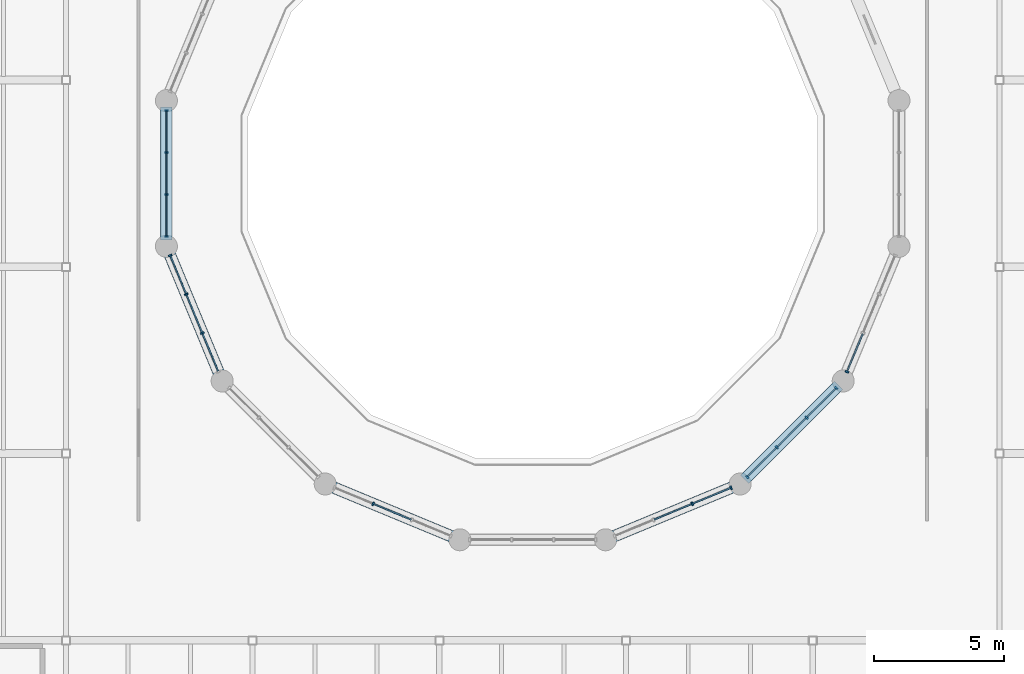
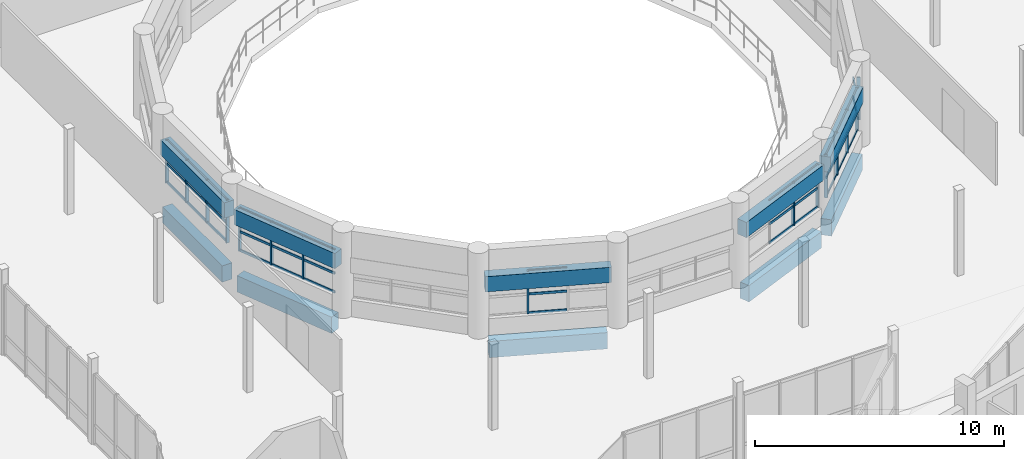
# One storey, part 22 of 63: 53 members, 10 beams, 6 elements without a shape of their own.
"""IFC4 building model written with IfcOpenShell, lengths in metres."""

from ifc_helpers import new_model, si_unit, direction, frame, origin, origin_2d, place, context, subcontext, project, spatial, rectangle, extrude, material, material_profile, profile_set, type_object, element, aggregate, save


model = new_model("IFC4")

# Units and contexts
model_context = context("Model", 3, precision=1e-05, world=origin(), true_north=direction((0.0, 1.0)))
body_context = subcontext(model_context, "Body", "Model", "MODEL_VIEW")
ifc_project = project(units=[si_unit("LENGTHUNIT", "METRE"), si_unit("AREAUNIT", "SQUARE_METRE"), si_unit("VOLUMEUNIT", "CUBIC_METRE"), si_unit("PLANEANGLEUNIT", "RADIAN"), si_unit("MASSUNIT", "GRAM", prefix="KILO")], contexts=[model_context])

# Site, building, storey
site_placement = place(None, origin())
site = spatial("IfcSite", under=ifc_project, at=site_placement, CompositionType="ELEMENT")
building_placement = place(site_placement, origin())
building = spatial("IfcBuilding", under=site, at=building_placement, Name="Qiaolan Assembly House", CompositionType="ELEMENT")
storey_placement = place(building_placement, frame((0.0, 0.0, 14.39990234375)))
storey = spatial("IfcBuildingStorey", under=building, at=storey_placement, Name="L03", CompositionType="ELEMENT", Elevation=14.39990234375)

# Beams
ifc_material_1 = material(Name="Concrete C40/50", Category="concrete")
ifc_material_profile_1 = material_profile(ifc_material_1, rectangle(XDim=0.449951171875, YDim=0.75, at=origin_2d()), Name="RCB 450x750")
ifc_profile_set_1 = profile_set([ifc_material_profile_1], Name="Concrete C40/50")
beam_type_1 = type_object("IfcBeamType", Name="BM-RC-450x750", PredefinedType="BEAM", material=ifc_profile_set_1)
for number, where, z_axis, x_axis, name in (
    (1, (54.276611328125, 58.640625, 2.525146484375), (0.0, 1.0, 0.0), (-1.0, 0.0, 0.0), "GB-04 drum clerestory lintel beam 8 L03"),
    (2, (56.3310546875, 53.4306640625, 2.525146484375), (-0.382670538813, 0.92388487309, 0.0), (-0.92388487309, -0.382670538813, 0.0), "GB-04 drum clerestory lintel beam 9 L03"),
):
    element("IfcBeam", number, at=place(storey_placement, frame(where, z_axis=z_axis, x_axis=x_axis)), inside=storey, type_object=beam_type_1, Name=name, PredefinedType="BEAM", context=body_context, shape_type="SweptSolid", body=[
        extrude(rectangle(XDim=0.449951171875, YDim=0.75, at=origin_2d()), origin(), (0.0, 0.0, 1.0), 5.11865234375),
    ])
beam_placement = place(storey_placement, frame((65.359619140625, 47.17236328125, 2.525146484375), z_axis=(-0.923877888081, 0.382687402348, 0.0), x_axis=(-0.382687402348, -0.923877888081, 0.0)))
element("IfcBeam", 3, at=beam_placement, inside=storey, type_object=beam_type_1, Name="GB-04 drum clerestory lintel beam 11 L03", PredefinedType="BEAM", context=body_context, shape_type="SweptSolid", body=[
    extrude(rectangle(XDim=0.449951171875, YDim=0.75, at=origin_2d()), origin(), (0.0, 0.0, 1.0), 5.118408203125),
])
for number, where, z_axis, x_axis, name in (
    (4, (76.169189453125, 49.131103515625, 2.525146484375), (-0.92388487309, -0.382670538813, 0.0), (0.382670538813, -0.92388487309, 0.0), "GB-04 drum clerestory lintel beam 13 L03"),
    (5, (80.1962890625, 53.02294921875, 2.525146484375), (-0.707106781187, -0.707106781187, 0.0), (0.707106781187, -0.707106781187, 0.0), "GB-04 drum clerestory lintel beam 14 L03"),
):
    element("IfcBeam", number, at=place(storey_placement, frame(where, z_axis=z_axis, x_axis=x_axis)), inside=storey, type_object=beam_type_1, Name=name, PredefinedType="BEAM", context=body_context, shape_type="SweptSolid", body=[
        extrude(rectangle(XDim=0.449951171875, YDim=0.75, at=origin_2d()), origin(), (0.0, 0.0, 1.0), 5.11865234375),
    ])
ifc_material_profile_2 = material_profile(ifc_material_1, rectangle(XDim=0.449951171875, YDim=0.800048828125, at=origin_2d()), Name="RCB 450x800")
ifc_profile_set_2 = profile_set([ifc_material_profile_2], Name="Concrete C40/50")
beam_type_2 = type_object("IfcBeamType", Name="BM-RC-450x800", PredefinedType="BEAM", material=ifc_profile_set_2)
for number, where, z_axis, x_axis, name in (
    (6, (54.276611328125, 63.59423828125, -0.68994140625), (0.0, -1.0, 0.0), (1.0, 0.0, 0.0), "GB-03 beam BM-DRUM-L03-07"),
    (7, (54.435546875, 58.00732421875, -0.68994140625), (0.38268500057, -0.923878882938, 0.0), (0.923878882938, 0.38268500057, 0.0), "GB-03 beam BM-DRUM-L03-08"),
    (8, (60.783203125, 49.068115234375, -0.68994140625), (0.923878882938, -0.38268500057, 0.0), (0.38268500057, 0.923878882938, 0.0), "GB-03 beam BM-DRUM-L03-10"),
    (9, (71.5927734375, 47.235595703125, -0.68994140625), (0.923878882938, 0.38268500057, 0.0), (-0.38268500057, 0.923878882938, 0.0), "GB-03 beam BM-DRUM-L03-12"),
    (10, (76.693603515625, 49.520263671875, -0.68994140625), (0.707132272157, 0.707081289297, 0.0), (-0.707081289297, 0.707132272157, 0.0), "GB-03 beam BM-DRUM-L03-13"),
):
    element("IfcBeam", number, at=place(storey_placement, frame(where, z_axis=z_axis, x_axis=x_axis)), inside=storey, type_object=beam_type_2, Name=name, PredefinedType="BEAM", context=body_context, shape_type="SweptSolid", body=[
        extrude(rectangle(XDim=0.449951171875, YDim=0.800048828125, at=origin_2d()), origin(), (0.0, 0.0, 1.0), 4.78857421875),
    ])

# Curtain wall, members
ifc_material_2 = material(Name="Anodised bronze aluminium", Category="aluminium")
curtain_wall_type = type_object("IfcCurtainWallType", Name="CW-DRUM-CLERESTORY", PredefinedType="NOTDEFINED", material=ifc_material_2)
curtain_wall_1_placement = place(storey_placement, origin())
curtain_wall_1 = element("IfcCurtainWall", 11, at=curtain_wall_1_placement, inside=storey, type_object=curtain_wall_type, Name="CW-06 Council Chamber Drum Clerestory Curtain Wall 8", PredefinedType="NOTDEFINED")
ifc_material_profile_3 = material_profile(ifc_material_2, rectangle(XDim=0.06591796875, YDim=0.14501953125, at=origin_2d()), Name="MUL 66x145")
ifc_profile_set_3 = profile_set([ifc_material_profile_3], Name="Anodised bronze aluminium")
member_type_1 = type_object("IfcMemberType", Name="CW-DRUM-CLERESTORY-MUL", PredefinedType="MULLION", material=ifc_profile_set_3)
member_1_placement = place(storey_placement, frame((54.276611328125, 58.770751953125, 0.800048828125), z_axis=(0.0, 0.0, 1.0), x_axis=(0.0, 1.0, 0.0)))
member_1 = element("IfcMember", 12, at=member_1_placement, type_object=member_type_1, Name="ML-07 mullion CW-DRUM-CLER-07-1", PredefinedType="MULLION", context=body_context, shape_type="SweptSolid", body=[
    extrude(rectangle(XDim=0.06591796875, YDim=0.14501953125, at=origin_2d()), origin(), (0.0, 0.0, 1.0), 2.10009765625),
])
member_2_placement = place(storey_placement, frame((54.276611328125, 60.39013671875, 0.800048828125), z_axis=(0.0, 0.0, 1.0), x_axis=(0.0, 1.0, 0.0)))
member_2 = element("IfcMember", 13, at=member_2_placement, type_object=member_type_1, Name="ML-07 mullion CW-DRUM-CLER-07-2", PredefinedType="MULLION", context=body_context, shape_type="SweptSolid", body=[
    extrude(rectangle(XDim=0.06591796875, YDim=0.14501953125, at=origin_2d()), origin(), (0.0, 0.0, 1.0), 2.10009765625),
])
member_3_placement = place(storey_placement, frame((54.276611328125, 62.009765625, 0.800048828125), z_axis=(0.0, 0.0, 1.0), x_axis=(0.0, 1.0, 0.0)))
member_3 = element("IfcMember", 14, at=member_3_placement, type_object=member_type_1, Name="ML-07 mullion CW-DRUM-CLER-07-3", PredefinedType="MULLION", context=body_context, shape_type="SweptSolid", body=[
    extrude(rectangle(XDim=0.06591796875, YDim=0.14501953125, at=origin_2d()), origin(), (0.0, 0.0, 1.0), 2.10009765625),
])
member_4_placement = place(storey_placement, frame((54.276611328125, 63.62939453125, 0.800048828125), z_axis=(0.0, 0.0, 1.0), x_axis=(0.0, 1.0, 0.0)))
member_4 = element("IfcMember", 15, at=member_4_placement, type_object=member_type_1, Name="ML-07 mullion CW-DRUM-CLER-07-4", PredefinedType="MULLION", context=body_context, shape_type="SweptSolid", body=[
    extrude(rectangle(XDim=0.06591796875, YDim=0.14501953125, at=origin_2d()), origin(), (0.0, 0.0, 1.0), 2.10009765625),
])

curtain_wall_2_placement = place(storey_placement, origin())
curtain_wall_2 = element("IfcCurtainWall", 16, at=curtain_wall_2_placement, inside=storey, type_object=curtain_wall_type, Name="CW-06 Council Chamber Drum Clerestory Curtain Wall 9", PredefinedType="NOTDEFINED")
member_5_placement = place(storey_placement, frame((55.66162109375, 55.047119140625, 0.800048828125), z_axis=(0.0, 0.0, 1.0), x_axis=(-0.382683415031, 0.923879539691, 0.0)))
member_5 = element("IfcMember", 17, at=member_5_placement, type_object=member_type_1, Name="ML-07 mullion CW-DRUM-CLER-08-2", PredefinedType="MULLION", context=body_context, shape_type="SweptSolid", body=[
    extrude(rectangle(XDim=0.06591796875, YDim=0.14501953125, at=origin_2d()), origin(), (0.0, 0.0, 1.0), 2.10009765625),
])
member_6_placement = place(storey_placement, frame((55.041748046875, 56.54345703125, 0.800048828125), z_axis=(0.0, 0.0, 1.0), x_axis=(-0.382683415031, 0.923879539691, 0.0)))
member_6 = element("IfcMember", 18, at=member_6_placement, type_object=member_type_1, Name="ML-07 mullion CW-DRUM-CLER-08-3", PredefinedType="MULLION", context=body_context, shape_type="SweptSolid", body=[
    extrude(rectangle(XDim=0.06591796875, YDim=0.14501953125, at=origin_2d()), origin(), (0.0, 0.0, 1.0), 2.10009765625),
])
member_7_placement = place(storey_placement, frame((54.422119140625, 58.03955078125, 0.800048828125), z_axis=(0.0, 0.0, 1.0), x_axis=(-0.382683415031, 0.923879539691, 0.0)))
member_7 = element("IfcMember", 19, at=member_7_placement, type_object=member_type_1, Name="ML-07 mullion CW-DRUM-CLER-08-4", PredefinedType="MULLION", context=body_context, shape_type="SweptSolid", body=[
    extrude(rectangle(XDim=0.06591796875, YDim=0.14501953125, at=origin_2d()), origin(), (0.0, 0.0, 1.0), 2.10009765625),
])

# Curtain wall, member
curtain_wall_3_placement = place(storey_placement, origin())
curtain_wall_3 = element("IfcCurtainWall", 20, at=curtain_wall_3_placement, inside=storey, type_object=curtain_wall_type, Name="CW-06 Council Chamber Drum Clerestory Curtain Wall 11", PredefinedType="NOTDEFINED")
member_8_placement = place(storey_placement, frame((62.2470703125, 48.461669921875, 0.800048828125), z_axis=(0.0, 0.0, 1.0), x_axis=(-0.923879539691, 0.382683415031, 0.0)))
member_8 = element("IfcMember", 21, at=member_8_placement, type_object=member_type_1, Name="ML-07 mullion CW-DRUM-CLER-10-3", PredefinedType="MULLION", context=body_context, shape_type="SweptSolid", body=[
    extrude(rectangle(XDim=0.06591796875, YDim=0.14501953125, at=origin_2d()), origin(), (0.0, 0.0, 1.0), 2.10009765625),
])

# Curtain wall, members
curtain_wall_4_placement = place(storey_placement, origin())
curtain_wall_4 = element("IfcCurtainWall", 22, at=curtain_wall_4_placement, inside=storey, type_object=curtain_wall_type, Name="CW-06 Council Chamber Drum Clerestory Curtain Wall 13", PredefinedType="NOTDEFINED")
member_9_placement = place(storey_placement, frame((76.049072265625, 49.081298828125, 0.800048828125), z_axis=(0.0, 0.0, 1.0), x_axis=(-0.923879539691, -0.382683415031, 0.0)))
member_9 = element("IfcMember", 23, at=member_9_placement, type_object=member_type_1, Name="ML-07 mullion CW-DRUM-CLER-12-1", PredefinedType="MULLION", context=body_context, shape_type="SweptSolid", body=[
    extrude(rectangle(XDim=0.06591796875, YDim=0.14501953125, at=origin_2d()), origin(), (0.0, 0.0, 1.0), 2.10009765625),
])
member_10_placement = place(storey_placement, frame((74.552978515625, 48.461669921875, 0.800048828125), z_axis=(0.0, 0.0, 1.0), x_axis=(-0.923879539691, -0.382683415031, 0.0)))
member_10 = element("IfcMember", 24, at=member_10_placement, type_object=member_type_1, Name="ML-07 mullion CW-DRUM-CLER-12-2", PredefinedType="MULLION", context=body_context, shape_type="SweptSolid", body=[
    extrude(rectangle(XDim=0.06591796875, YDim=0.14501953125, at=origin_2d()), origin(), (0.0, 0.0, 1.0), 2.10009765625),
])

curtain_wall_5_placement = place(storey_placement, origin())
curtain_wall_5 = element("IfcCurtainWall", 25, at=curtain_wall_5_placement, inside=storey, type_object=curtain_wall_type, Name="CW-06 Council Chamber Drum Clerestory Curtain Wall 14", PredefinedType="NOTDEFINED")
member_11_placement = place(storey_placement, frame((80.1044921875, 52.93115234375, 0.800048828125), z_axis=(0.0, 0.0, 1.0), x_axis=(-0.707106781187, -0.707106781187, 0.0)))
member_11 = element("IfcMember", 26, at=member_11_placement, type_object=member_type_1, Name="ML-07 mullion CW-DRUM-CLER-13-1", PredefinedType="MULLION", context=body_context, shape_type="SweptSolid", body=[
    extrude(rectangle(XDim=0.06591796875, YDim=0.14501953125, at=origin_2d()), origin(), (0.0, 0.0, 1.0), 2.10009765625),
])
member_12_placement = place(storey_placement, frame((78.959228515625, 51.785888671875, 0.800048828125), z_axis=(0.0, 0.0, 1.0), x_axis=(-0.707106781187, -0.707106781187, 0.0)))
member_12 = element("IfcMember", 27, at=member_12_placement, type_object=member_type_1, Name="ML-07 mullion CW-DRUM-CLER-13-2", PredefinedType="MULLION", context=body_context, shape_type="SweptSolid", body=[
    extrude(rectangle(XDim=0.06591796875, YDim=0.14501953125, at=origin_2d()), origin(), (0.0, 0.0, 1.0), 2.10009765625),
])
member_13_placement = place(storey_placement, frame((77.81396484375, 50.640625, 0.800048828125), z_axis=(0.0, 0.0, 1.0), x_axis=(-0.707106781187, -0.707106781187, 0.0)))
member_13 = element("IfcMember", 28, at=member_13_placement, type_object=member_type_1, Name="ML-07 mullion CW-DRUM-CLER-13-3", PredefinedType="MULLION", context=body_context, shape_type="SweptSolid", body=[
    extrude(rectangle(XDim=0.06591796875, YDim=0.14501953125, at=origin_2d()), origin(), (0.0, 0.0, 1.0), 2.10009765625),
])
member_14_placement = place(storey_placement, frame((76.6689453125, 49.49560546875, 0.800048828125), z_axis=(0.0, 0.0, 1.0), x_axis=(-0.707106781187, -0.707106781187, 0.0)))
member_14 = element("IfcMember", 29, at=member_14_placement, type_object=member_type_1, Name="ML-07 mullion CW-DRUM-CLER-13-4", PredefinedType="MULLION", context=body_context, shape_type="SweptSolid", body=[
    extrude(rectangle(XDim=0.06591796875, YDim=0.14501953125, at=origin_2d()), origin(), (0.0, 0.0, 1.0), 2.10009765625),
])

# Curtain wall, member
curtain_wall_6_placement = place(storey_placement, origin())
curtain_wall_6 = element("IfcCurtainWall", 30, at=curtain_wall_6_placement, inside=storey, type_object=curtain_wall_type, Name="CW-06 Council Chamber Drum Clerestory Curtain Wall 15", PredefinedType="NOTDEFINED")
member_15_placement = place(storey_placement, frame((80.5185546875, 53.55078125, 0.800048828125), z_axis=(0.0, 0.0, 1.0), x_axis=(-0.382683415031, -0.923879539691, 0.0)))
member_15 = element("IfcMember", 31, at=member_15_placement, type_object=member_type_1, Name="ML-07 mullion CW-DRUM-CLER-14-4", PredefinedType="MULLION", context=body_context, shape_type="SweptSolid", body=[
    extrude(rectangle(XDim=0.06591796875, YDim=0.14501953125, at=origin_2d()), origin(), (0.0, 0.0, 1.0), 2.10009765625),
])

# Member
ifc_material_profile_4 = material_profile(ifc_material_2, rectangle(XDim=0.05810546875, YDim=0.114990234375, at=origin_2d()), Name="TRN 58x115")
ifc_profile_set_4 = profile_set([ifc_material_profile_4], Name="Anodised bronze aluminium")
member_type_2 = type_object("IfcMemberType", Name="CW-DRUM-CLERESTORY-TRN", PredefinedType="USERDEFINED", material=ifc_profile_set_4)
member_16_placement = place(storey_placement, frame((54.276611328125, 58.8037109375, 0.830078125), z_axis=(0.0, 1.0, 0.0), x_axis=(-1.0, 0.0, 0.0)))
member_16 = element("IfcMember", 32, at=member_16_placement, type_object=member_type_2, Name="TR-07 transom CW-DRUM-CLER-07-1-1", ObjectType="TRANSOM", PredefinedType="USERDEFINED", context=body_context, shape_type="SweptSolid", body=[
    extrude(rectangle(XDim=0.05810546875, YDim=0.114990234375, at=origin_2d()), origin(), (0.0, 0.0, 1.0), 1.553466796875),
])

member_17_placement = place(storey_placement, frame((54.276611328125, 58.8037109375, 1.75), z_axis=(0.0, 1.0, 0.0), x_axis=(-1.0, 0.0, 0.0)))
member_17 = element("IfcMember", 33, at=member_17_placement, type_object=member_type_2, Name="TR-07 transom CW-DRUM-CLER-07-1-2", ObjectType="TRANSOM", PredefinedType="USERDEFINED", context=body_context, shape_type="SweptSolid", body=[
    extrude(rectangle(XDim=0.05810546875, YDim=0.114990234375, at=origin_2d()), origin(), (0.0, 0.0, 1.0), 1.553466796875),
])

member_18_placement = place(storey_placement, frame((54.276611328125, 58.8037109375, 2.8701171875), z_axis=(0.0, 1.0, 0.0), x_axis=(-1.0, 0.0, 0.0)))
member_18 = element("IfcMember", 34, at=member_18_placement, type_object=member_type_2, Name="TR-07 transom CW-DRUM-CLER-07-1-3", ObjectType="TRANSOM", PredefinedType="USERDEFINED", context=body_context, shape_type="SweptSolid", body=[
    extrude(rectangle(XDim=0.05810546875, YDim=0.114990234375, at=origin_2d()), origin(), (0.0, 0.0, 1.0), 1.553466796875),
])

member_19_placement = place(storey_placement, frame((54.276611328125, 60.423095703125, 0.830078125), z_axis=(0.0, 1.0, 0.0), x_axis=(-1.0, 0.0, 0.0)))
member_19 = element("IfcMember", 35, at=member_19_placement, type_object=member_type_2, Name="TR-07 transom CW-DRUM-CLER-07-2-1", ObjectType="TRANSOM", PredefinedType="USERDEFINED", context=body_context, shape_type="SweptSolid", body=[
    extrude(rectangle(XDim=0.05810546875, YDim=0.114990234375, at=origin_2d()), origin(), (0.0, 0.0, 1.0), 1.5537109375),
])

member_20_placement = place(storey_placement, frame((54.276611328125, 60.423095703125, 1.75), z_axis=(0.0, 1.0, 0.0), x_axis=(-1.0, 0.0, 0.0)))
member_20 = element("IfcMember", 36, at=member_20_placement, type_object=member_type_2, Name="TR-07 transom CW-DRUM-CLER-07-2-2", ObjectType="TRANSOM", PredefinedType="USERDEFINED", context=body_context, shape_type="SweptSolid", body=[
    extrude(rectangle(XDim=0.05810546875, YDim=0.114990234375, at=origin_2d()), origin(), (0.0, 0.0, 1.0), 1.5537109375),
])

member_21_placement = place(storey_placement, frame((54.276611328125, 60.423095703125, 2.8701171875), z_axis=(0.0, 1.0, 0.0), x_axis=(-1.0, 0.0, 0.0)))
member_21 = element("IfcMember", 37, at=member_21_placement, type_object=member_type_2, Name="TR-07 transom CW-DRUM-CLER-07-2-3", ObjectType="TRANSOM", PredefinedType="USERDEFINED", context=body_context, shape_type="SweptSolid", body=[
    extrude(rectangle(XDim=0.05810546875, YDim=0.114990234375, at=origin_2d()), origin(), (0.0, 0.0, 1.0), 1.5537109375),
])

member_22_placement = place(storey_placement, frame((54.276611328125, 62.042724609375, 0.830078125), z_axis=(0.0, 1.0, 0.0), x_axis=(-1.0, 0.0, 0.0)))
member_22 = element("IfcMember", 38, at=member_22_placement, type_object=member_type_2, Name="TR-07 transom CW-DRUM-CLER-07-3-1", ObjectType="TRANSOM", PredefinedType="USERDEFINED", context=body_context, shape_type="SweptSolid", body=[
    extrude(rectangle(XDim=0.05810546875, YDim=0.114990234375, at=origin_2d()), origin(), (0.0, 0.0, 1.0), 1.553466796875),
])

member_23_placement = place(storey_placement, frame((54.276611328125, 62.042724609375, 1.75), z_axis=(0.0, 1.0, 0.0), x_axis=(-1.0, 0.0, 0.0)))
member_23 = element("IfcMember", 39, at=member_23_placement, type_object=member_type_2, Name="TR-07 transom CW-DRUM-CLER-07-3-2", ObjectType="TRANSOM", PredefinedType="USERDEFINED", context=body_context, shape_type="SweptSolid", body=[
    extrude(rectangle(XDim=0.05810546875, YDim=0.114990234375, at=origin_2d()), origin(), (0.0, 0.0, 1.0), 1.553466796875),
])

member_24_placement = place(storey_placement, frame((54.276611328125, 62.042724609375, 2.8701171875), z_axis=(0.0, 1.0, 0.0), x_axis=(-1.0, 0.0, 0.0)))
member_24 = element("IfcMember", 40, at=member_24_placement, type_object=member_type_2, Name="TR-07 transom CW-DRUM-CLER-07-3-3", ObjectType="TRANSOM", PredefinedType="USERDEFINED", context=body_context, shape_type="SweptSolid", body=[
    extrude(rectangle(XDim=0.05810546875, YDim=0.114990234375, at=origin_2d()), origin(), (0.0, 0.0, 1.0), 1.553466796875),
])

aggregate(curtain_wall_1, [member_1, member_2, member_3, member_4, member_16, member_17, member_18, member_19, member_20, member_21, member_22, member_23, member_24])

member_25_placement = place(storey_placement, frame((56.268798828125, 53.581298828125, 0.830078125), z_axis=(-0.382661764772, 0.923888507225, 0.0), x_axis=(-0.923888507225, -0.382661764772, 0.0)))
member_25 = element("IfcMember", 41, at=member_25_placement, type_object=member_type_2, Name="TR-07 transom CW-DRUM-CLER-08-1-1", ObjectType="TRANSOM", PredefinedType="USERDEFINED", context=body_context, shape_type="SweptSolid", body=[
    extrude(rectangle(XDim=0.05810546875, YDim=0.114990234375, at=origin_2d()), origin(), (0.0, 0.0, 1.0), 1.553466796875),
])

member_26_placement = place(storey_placement, frame((56.268798828125, 53.581298828125, 1.75), z_axis=(-0.382661764772, 0.923888507225, 0.0), x_axis=(-0.923888507225, -0.382661764772, 0.0)))
member_26 = element("IfcMember", 42, at=member_26_placement, type_object=member_type_2, Name="TR-07 transom CW-DRUM-CLER-08-1-2", ObjectType="TRANSOM", PredefinedType="USERDEFINED", context=body_context, shape_type="SweptSolid", body=[
    extrude(rectangle(XDim=0.05810546875, YDim=0.114990234375, at=origin_2d()), origin(), (0.0, 0.0, 1.0), 1.553466796875),
])

member_27_placement = place(storey_placement, frame((56.268798828125, 53.581298828125, 2.8701171875), z_axis=(-0.382661764772, 0.923888507225, 0.0), x_axis=(-0.923888507225, -0.382661764772, 0.0)))
member_27 = element("IfcMember", 43, at=member_27_placement, type_object=member_type_2, Name="TR-07 transom CW-DRUM-CLER-08-1-3", ObjectType="TRANSOM", PredefinedType="USERDEFINED", context=body_context, shape_type="SweptSolid", body=[
    extrude(rectangle(XDim=0.05810546875, YDim=0.114990234375, at=origin_2d()), origin(), (0.0, 0.0, 1.0), 1.553466796875),
])

member_28_placement = place(storey_placement, frame((55.64892578125, 55.07763671875, 0.830078125), z_axis=(-0.382661764772, 0.923888507225, 0.0), x_axis=(-0.923888507225, -0.382661764772, 0.0)))
member_28 = element("IfcMember", 44, at=member_28_placement, type_object=member_type_2, Name="TR-07 transom CW-DRUM-CLER-08-2-1", ObjectType="TRANSOM", PredefinedType="USERDEFINED", context=body_context, shape_type="SweptSolid", body=[
    extrude(rectangle(XDim=0.05810546875, YDim=0.114990234375, at=origin_2d()), origin(), (0.0, 0.0, 1.0), 1.553466796875),
])

member_29_placement = place(storey_placement, frame((55.64892578125, 55.07763671875, 1.75), z_axis=(-0.382661764772, 0.923888507225, 0.0), x_axis=(-0.923888507225, -0.382661764772, 0.0)))
member_29 = element("IfcMember", 45, at=member_29_placement, type_object=member_type_2, Name="TR-07 transom CW-DRUM-CLER-08-2-2", ObjectType="TRANSOM", PredefinedType="USERDEFINED", context=body_context, shape_type="SweptSolid", body=[
    extrude(rectangle(XDim=0.05810546875, YDim=0.114990234375, at=origin_2d()), origin(), (0.0, 0.0, 1.0), 1.553466796875),
])

member_30_placement = place(storey_placement, frame((55.64892578125, 55.07763671875, 2.8701171875), z_axis=(-0.382661764772, 0.923888507225, 0.0), x_axis=(-0.923888507225, -0.382661764772, 0.0)))
member_30 = element("IfcMember", 46, at=member_30_placement, type_object=member_type_2, Name="TR-07 transom CW-DRUM-CLER-08-2-3", ObjectType="TRANSOM", PredefinedType="USERDEFINED", context=body_context, shape_type="SweptSolid", body=[
    extrude(rectangle(XDim=0.05810546875, YDim=0.114990234375, at=origin_2d()), origin(), (0.0, 0.0, 1.0), 1.553466796875),
])

member_31_placement = place(storey_placement, frame((55.029296875, 56.573974609375, 0.830078125), z_axis=(-0.382717330676, 0.923865490643, 0.0), x_axis=(-0.923865490643, -0.382717330676, 0.0)))
member_31 = element("IfcMember", 47, at=member_31_placement, type_object=member_type_2, Name="TR-07 transom CW-DRUM-CLER-08-3-1", ObjectType="TRANSOM", PredefinedType="USERDEFINED", context=body_context, shape_type="SweptSolid", body=[
    extrude(rectangle(XDim=0.05810546875, YDim=0.114990234375, at=origin_2d()), origin(), (0.0, 0.0, 1.0), 1.55322265625),
])

member_32_placement = place(storey_placement, frame((55.029296875, 56.573974609375, 1.75), z_axis=(-0.382717330676, 0.923865490643, 0.0), x_axis=(-0.923865490643, -0.382717330676, 0.0)))
member_32 = element("IfcMember", 48, at=member_32_placement, type_object=member_type_2, Name="TR-07 transom CW-DRUM-CLER-08-3-2", ObjectType="TRANSOM", PredefinedType="USERDEFINED", context=body_context, shape_type="SweptSolid", body=[
    extrude(rectangle(XDim=0.05810546875, YDim=0.114990234375, at=origin_2d()), origin(), (0.0, 0.0, 1.0), 1.55322265625),
])

member_33_placement = place(storey_placement, frame((55.029296875, 56.573974609375, 2.8701171875), z_axis=(-0.382717330676, 0.923865490643, 0.0), x_axis=(-0.923865490643, -0.382717330676, 0.0)))
member_33 = element("IfcMember", 49, at=member_33_placement, type_object=member_type_2, Name="TR-07 transom CW-DRUM-CLER-08-3-3", ObjectType="TRANSOM", PredefinedType="USERDEFINED", context=body_context, shape_type="SweptSolid", body=[
    extrude(rectangle(XDim=0.05810546875, YDim=0.114990234375, at=origin_2d()), origin(), (0.0, 0.0, 1.0), 1.55322265625),
])

aggregate(curtain_wall_2, [member_5, member_6, member_7, member_25, member_26, member_27, member_28, member_29, member_30, member_31, member_32, member_33])

member_34_placement = place(storey_placement, frame((63.712890625, 47.8544921875, 0.830078125), z_axis=(-0.923888507225, 0.382661764772, 0.0), x_axis=(-0.382661764772, -0.923888507225, 0.0)))
member_34 = element("IfcMember", 50, at=member_34_placement, type_object=member_type_2, Name="TR-07 transom CW-DRUM-CLER-10-2-1", ObjectType="TRANSOM", PredefinedType="USERDEFINED", context=body_context, shape_type="SweptSolid", body=[
    extrude(rectangle(XDim=0.05810546875, YDim=0.114990234375, at=origin_2d()), origin(), (0.0, 0.0, 1.0), 1.553466796875),
])

member_35_placement = place(storey_placement, frame((63.712890625, 47.8544921875, 1.75), z_axis=(-0.923888507225, 0.382661764772, 0.0), x_axis=(-0.382661764772, -0.923888507225, 0.0)))
member_35 = element("IfcMember", 51, at=member_35_placement, type_object=member_type_2, Name="TR-07 transom CW-DRUM-CLER-10-2-2", ObjectType="TRANSOM", PredefinedType="USERDEFINED", context=body_context, shape_type="SweptSolid", body=[
    extrude(rectangle(XDim=0.05810546875, YDim=0.114990234375, at=origin_2d()), origin(), (0.0, 0.0, 1.0), 1.553466796875),
])

member_36_placement = place(storey_placement, frame((63.712890625, 47.8544921875, 2.8701171875), z_axis=(-0.923888507225, 0.382661764772, 0.0), x_axis=(-0.382661764772, -0.923888507225, 0.0)))
member_36 = element("IfcMember", 52, at=member_36_placement, type_object=member_type_2, Name="TR-07 transom CW-DRUM-CLER-10-2-3", ObjectType="TRANSOM", PredefinedType="USERDEFINED", context=body_context, shape_type="SweptSolid", body=[
    extrude(rectangle(XDim=0.05810546875, YDim=0.114990234375, at=origin_2d()), origin(), (0.0, 0.0, 1.0), 1.553466796875),
])

aggregate(curtain_wall_3, [member_8, member_34, member_35, member_36])

member_37_placement = place(storey_placement, frame((76.0185546875, 49.06884765625, 0.830078125), z_axis=(-0.923865490643, -0.382717330676, 0.0), x_axis=(0.382717330676, -0.923865490643, 0.0)))
member_37 = element("IfcMember", 53, at=member_37_placement, type_object=member_type_2, Name="TR-07 transom CW-DRUM-CLER-12-1-1", ObjectType="TRANSOM", PredefinedType="USERDEFINED", context=body_context, shape_type="SweptSolid", body=[
    extrude(rectangle(XDim=0.05810546875, YDim=0.114990234375, at=origin_2d()), origin(), (0.0, 0.0, 1.0), 1.55322265625),
])

member_38_placement = place(storey_placement, frame((76.0185546875, 49.06884765625, 1.75), z_axis=(-0.923865490643, -0.382717330676, 0.0), x_axis=(0.382717330676, -0.923865490643, 0.0)))
member_38 = element("IfcMember", 54, at=member_38_placement, type_object=member_type_2, Name="TR-07 transom CW-DRUM-CLER-12-1-2", ObjectType="TRANSOM", PredefinedType="USERDEFINED", context=body_context, shape_type="SweptSolid", body=[
    extrude(rectangle(XDim=0.05810546875, YDim=0.114990234375, at=origin_2d()), origin(), (0.0, 0.0, 1.0), 1.55322265625),
])

member_39_placement = place(storey_placement, frame((76.0185546875, 49.06884765625, 2.8701171875), z_axis=(-0.923865490643, -0.382717330676, 0.0), x_axis=(0.382717330676, -0.923865490643, 0.0)))
member_39 = element("IfcMember", 55, at=member_39_placement, type_object=member_type_2, Name="TR-07 transom CW-DRUM-CLER-12-1-3", ObjectType="TRANSOM", PredefinedType="USERDEFINED", context=body_context, shape_type="SweptSolid", body=[
    extrude(rectangle(XDim=0.05810546875, YDim=0.114990234375, at=origin_2d()), origin(), (0.0, 0.0, 1.0), 1.55322265625),
])

member_40_placement = place(storey_placement, frame((74.5224609375, 48.448974609375, 0.830078125), z_axis=(-0.923888507225, -0.382661764772, 0.0), x_axis=(0.382661764772, -0.923888507225, 0.0)))
member_40 = element("IfcMember", 56, at=member_40_placement, type_object=member_type_2, Name="TR-07 transom CW-DRUM-CLER-12-2-1", ObjectType="TRANSOM", PredefinedType="USERDEFINED", context=body_context, shape_type="SweptSolid", body=[
    extrude(rectangle(XDim=0.05810546875, YDim=0.114990234375, at=origin_2d()), origin(), (0.0, 0.0, 1.0), 1.553466796875),
])

member_41_placement = place(storey_placement, frame((74.5224609375, 48.448974609375, 1.75), z_axis=(-0.923888507225, -0.382661764772, 0.0), x_axis=(0.382661764772, -0.923888507225, 0.0)))
member_41 = element("IfcMember", 57, at=member_41_placement, type_object=member_type_2, Name="TR-07 transom CW-DRUM-CLER-12-2-2", ObjectType="TRANSOM", PredefinedType="USERDEFINED", context=body_context, shape_type="SweptSolid", body=[
    extrude(rectangle(XDim=0.05810546875, YDim=0.114990234375, at=origin_2d()), origin(), (0.0, 0.0, 1.0), 1.553466796875),
])

member_42_placement = place(storey_placement, frame((74.5224609375, 48.448974609375, 2.8701171875), z_axis=(-0.923888507225, -0.382661764772, 0.0), x_axis=(0.382661764772, -0.923888507225, 0.0)))
member_42 = element("IfcMember", 58, at=member_42_placement, type_object=member_type_2, Name="TR-07 transom CW-DRUM-CLER-12-2-3", ObjectType="TRANSOM", PredefinedType="USERDEFINED", context=body_context, shape_type="SweptSolid", body=[
    extrude(rectangle(XDim=0.05810546875, YDim=0.114990234375, at=origin_2d()), origin(), (0.0, 0.0, 1.0), 1.553466796875),
])

aggregate(curtain_wall_4, [member_9, member_10, member_37, member_38, member_39, member_40, member_41, member_42])

member_43_placement = place(storey_placement, frame((80.0810546875, 52.90771484375, 0.830078125), z_axis=(-0.707106781187, -0.707106781187, 0.0), x_axis=(0.707106781187, -0.707106781187, 0.0)))
member_43 = element("IfcMember", 59, at=member_43_placement, type_object=member_type_2, Name="TR-07 transom CW-DRUM-CLER-13-1-1", ObjectType="TRANSOM", PredefinedType="USERDEFINED", context=body_context, shape_type="SweptSolid", body=[
    extrude(rectangle(XDim=0.05810546875, YDim=0.114990234375, at=origin_2d()), origin(), (0.0, 0.0, 1.0), 1.553466796875),
])

member_44_placement = place(storey_placement, frame((80.0810546875, 52.90771484375, 1.75), z_axis=(-0.707106781187, -0.707106781187, 0.0), x_axis=(0.707106781187, -0.707106781187, 0.0)))
member_44 = element("IfcMember", 60, at=member_44_placement, type_object=member_type_2, Name="TR-07 transom CW-DRUM-CLER-13-1-2", ObjectType="TRANSOM", PredefinedType="USERDEFINED", context=body_context, shape_type="SweptSolid", body=[
    extrude(rectangle(XDim=0.05810546875, YDim=0.114990234375, at=origin_2d()), origin(), (0.0, 0.0, 1.0), 1.553466796875),
])

member_45_placement = place(storey_placement, frame((80.0810546875, 52.90771484375, 2.8701171875), z_axis=(-0.707106781187, -0.707106781187, 0.0), x_axis=(0.707106781187, -0.707106781187, 0.0)))
member_45 = element("IfcMember", 61, at=member_45_placement, type_object=member_type_2, Name="TR-07 transom CW-DRUM-CLER-13-1-3", ObjectType="TRANSOM", PredefinedType="USERDEFINED", context=body_context, shape_type="SweptSolid", body=[
    extrude(rectangle(XDim=0.05810546875, YDim=0.114990234375, at=origin_2d()), origin(), (0.0, 0.0, 1.0), 1.553466796875),
])

member_46_placement = place(storey_placement, frame((78.93603515625, 51.7626953125, 0.830078125), z_axis=(-0.707106781187, -0.707106781187, 0.0), x_axis=(0.707106781187, -0.707106781187, 0.0)))
member_46 = element("IfcMember", 62, at=member_46_placement, type_object=member_type_2, Name="TR-07 transom CW-DRUM-CLER-13-2-1", ObjectType="TRANSOM", PredefinedType="USERDEFINED", context=body_context, shape_type="SweptSolid", body=[
    extrude(rectangle(XDim=0.05810546875, YDim=0.114990234375, at=origin_2d()), origin(), (0.0, 0.0, 1.0), 1.5537109375),
])

member_47_placement = place(storey_placement, frame((78.93603515625, 51.7626953125, 1.75), z_axis=(-0.707106781187, -0.707106781187, 0.0), x_axis=(0.707106781187, -0.707106781187, 0.0)))
member_47 = element("IfcMember", 63, at=member_47_placement, type_object=member_type_2, Name="TR-07 transom CW-DRUM-CLER-13-2-2", ObjectType="TRANSOM", PredefinedType="USERDEFINED", context=body_context, shape_type="SweptSolid", body=[
    extrude(rectangle(XDim=0.05810546875, YDim=0.114990234375, at=origin_2d()), origin(), (0.0, 0.0, 1.0), 1.5537109375),
])

member_48_placement = place(storey_placement, frame((78.93603515625, 51.7626953125, 2.8701171875), z_axis=(-0.707106781187, -0.707106781187, 0.0), x_axis=(0.707106781187, -0.707106781187, 0.0)))
member_48 = element("IfcMember", 64, at=member_48_placement, type_object=member_type_2, Name="TR-07 transom CW-DRUM-CLER-13-2-3", ObjectType="TRANSOM", PredefinedType="USERDEFINED", context=body_context, shape_type="SweptSolid", body=[
    extrude(rectangle(XDim=0.05810546875, YDim=0.114990234375, at=origin_2d()), origin(), (0.0, 0.0, 1.0), 1.5537109375),
])

member_49_placement = place(storey_placement, frame((77.790771484375, 50.617431640625, 0.830078125), z_axis=(-0.707106781187, -0.707106781187, 0.0), x_axis=(0.707106781187, -0.707106781187, 0.0)))
member_49 = element("IfcMember", 65, at=member_49_placement, type_object=member_type_2, Name="TR-07 transom CW-DRUM-CLER-13-3-1", ObjectType="TRANSOM", PredefinedType="USERDEFINED", context=body_context, shape_type="SweptSolid", body=[
    extrude(rectangle(XDim=0.05810546875, YDim=0.114990234375, at=origin_2d()), origin(), (0.0, 0.0, 1.0), 1.5537109375),
])

member_50_placement = place(storey_placement, frame((77.790771484375, 50.617431640625, 1.75), z_axis=(-0.707106781187, -0.707106781187, 0.0), x_axis=(0.707106781187, -0.707106781187, 0.0)))
member_50 = element("IfcMember", 66, at=member_50_placement, type_object=member_type_2, Name="TR-07 transom CW-DRUM-CLER-13-3-2", ObjectType="TRANSOM", PredefinedType="USERDEFINED", context=body_context, shape_type="SweptSolid", body=[
    extrude(rectangle(XDim=0.05810546875, YDim=0.114990234375, at=origin_2d()), origin(), (0.0, 0.0, 1.0), 1.5537109375),
])

member_51_placement = place(storey_placement, frame((77.790771484375, 50.617431640625, 2.8701171875), z_axis=(-0.707106781187, -0.707106781187, 0.0), x_axis=(0.707106781187, -0.707106781187, 0.0)))
member_51 = element("IfcMember", 67, at=member_51_placement, type_object=member_type_2, Name="TR-07 transom CW-DRUM-CLER-13-3-3", ObjectType="TRANSOM", PredefinedType="USERDEFINED", context=body_context, shape_type="SweptSolid", body=[
    extrude(rectangle(XDim=0.05810546875, YDim=0.114990234375, at=origin_2d()), origin(), (0.0, 0.0, 1.0), 1.5537109375),
])

aggregate(curtain_wall_5, [member_11, member_12, member_13, member_14, member_43, member_44, member_45, member_46, member_47, member_48, member_49, member_50, member_51])

member_52_placement = place(storey_placement, frame((81.125732421875, 55.0166015625, 0.830078125), z_axis=(-0.382661764772, -0.923888507225, 0.0), x_axis=(0.923888507225, -0.382661764772, 0.0)))
member_52 = element("IfcMember", 68, at=member_52_placement, type_object=member_type_2, Name="TR-07 transom CW-DRUM-CLER-14-3-1", ObjectType="TRANSOM", PredefinedType="USERDEFINED", context=body_context, shape_type="SweptSolid", body=[
    extrude(rectangle(XDim=0.05810546875, YDim=0.114990234375, at=origin_2d()), origin(), (0.0, 0.0, 1.0), 1.553466796875),
])

member_53_placement = place(storey_placement, frame((81.125732421875, 55.0166015625, 1.75), z_axis=(-0.382661764772, -0.923888507225, 0.0), x_axis=(0.923888507225, -0.382661764772, 0.0)))
member_53 = element("IfcMember", 69, at=member_53_placement, type_object=member_type_2, Name="TR-07 transom CW-DRUM-CLER-14-3-2", ObjectType="TRANSOM", PredefinedType="USERDEFINED", context=body_context, shape_type="SweptSolid", body=[
    extrude(rectangle(XDim=0.05810546875, YDim=0.114990234375, at=origin_2d()), origin(), (0.0, 0.0, 1.0), 1.553466796875),
])

aggregate(curtain_wall_6, [member_15, member_52, member_53])

save(model, "model.ifc")
